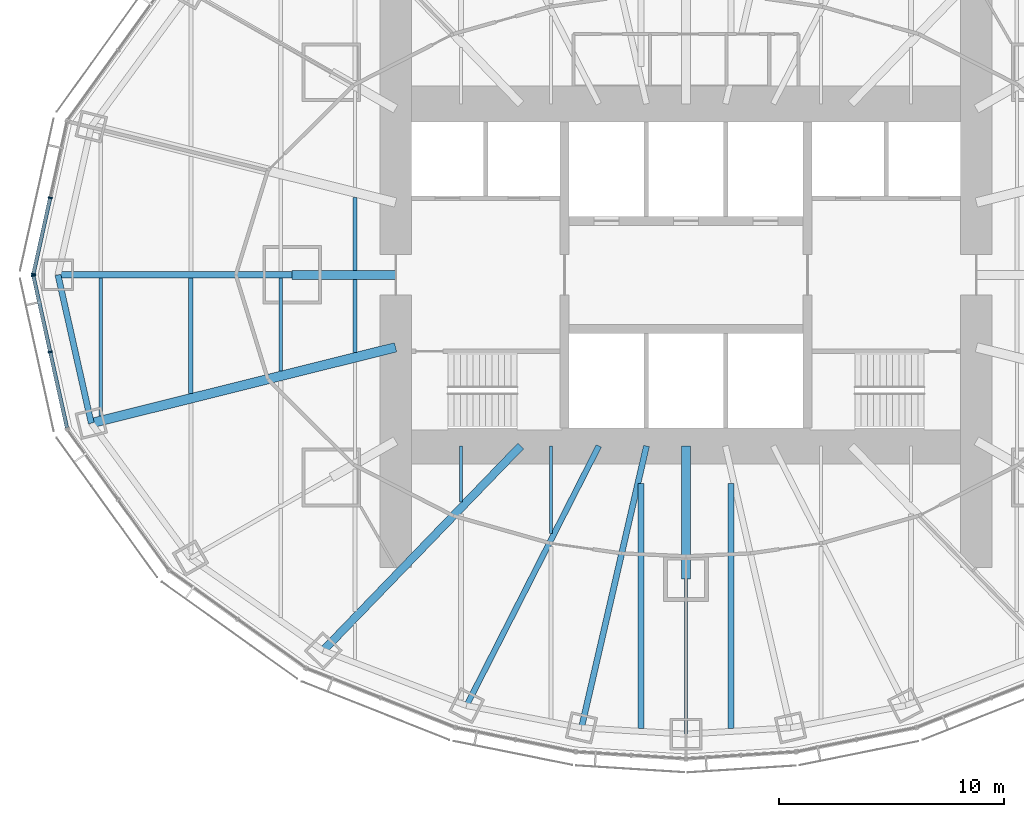
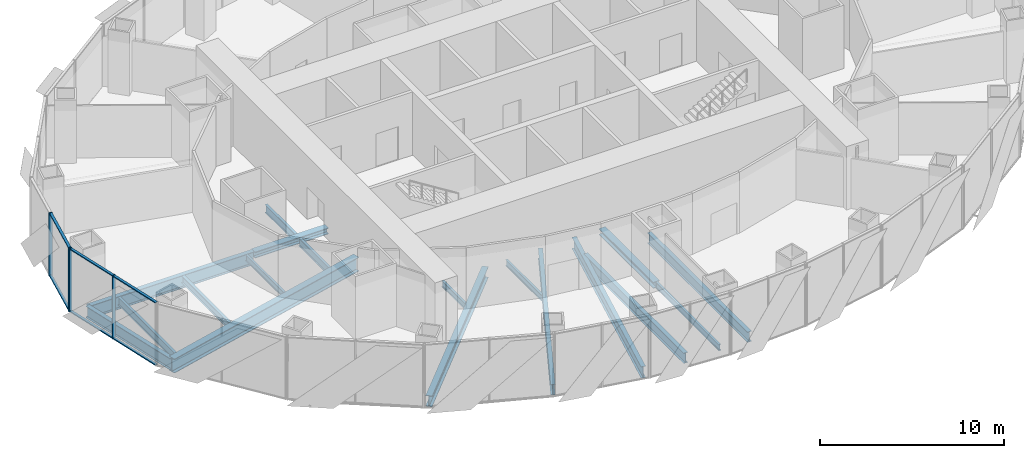
# One storey, part 3 of 18: 18 beams, 10 members, 2 elements without a shape of their own.
"""IFC4 building model written with IfcOpenShell, lengths in metres."""

import ifcopenshell
import ifcopenshell.guid

model = None  # the IFC model being written
_history = None  # IfcOwnerHistory: only IFC2X3 demands one
_inside = {}  # id of a spatial element -> (the spatial element, [elements in it])
_under = {}  # id of a project, library or spatial element -> (it, [spatial elements below it])
_declared = {}  # id of a project -> (the project, [libraries it declares])
_typed = {}  # id of a type object -> (the type object, [elements of that type])
_made_of = {}  # id of a material, layer set ... -> (it, [elements and type objects made of it])


def new_model(schema):
    """Start an empty IFC model of exactly this schema.

    Asked for "IFC4X3", IfcOpenShell would pick the latest addendum, in which some entities
    have other attributes; the version numbers below select the first issue.
    IFC2X3 requires an IfcOwnerHistory on every rooted entity: one is made here for all.
    """
    global model, _history
    if schema == "IFC4X3":
        model = ifcopenshell.file(schema_version=(4, 3, 0, 0))
    else:
        model = ifcopenshell.file(schema=schema)
    _inside.clear()
    _under.clear()
    _declared.clear()
    _typed.clear()
    _made_of.clear()
    _history = None
    if model.schema == "IFC2X3":
        org = make("IfcOrganization", Name="unknown")
        user = make(
            "IfcPersonAndOrganization",
            ThePerson=make("IfcPerson", FamilyName="unknown"),
            TheOrganization=org,
        )
        app = make(
            "IfcApplication",
            ApplicationDeveloper=org,
            Version="unknown",
            ApplicationFullName="unknown",
            ApplicationIdentifier="unknown",
        )
        _history = make(
            "IfcOwnerHistory",
            OwningUser=user,
            OwningApplication=app,
            ChangeAction="ADDED",
            CreationDate=0,
        )
    return model


def make(cls, **values):
    """One entity of the class cls with the attributes given. An attribute that is None is left unset."""
    return model.create_entity(
        cls, **{name: value for name, value in values.items() if value is not None}
    )


def rooted(cls, **values):
    """An entity with a GlobalId (a new one), such as an element, a storey or a relation."""
    return make(cls, GlobalId=ifcopenshell.guid.new(), OwnerHistory=_history, **values)


def si_unit(unit_type, name, prefix=None):
    """IfcSIUnit, for example si_unit("LENGTHUNIT", "METRE", prefix="MILLI")."""
    return make("IfcSIUnit", UnitType=unit_type, Prefix=prefix, Name=name)


def assignment(units):
    """IfcUnitAssignment: the units of a project."""
    return None if units is None else make("IfcUnitAssignment", Units=units)


def point(xyz):
    """IfcCartesianPoint."""
    return None if xyz is None else make("IfcCartesianPoint", Coordinates=xyz)


def direction(xyz):
    """IfcDirection."""
    return None if xyz is None else make("IfcDirection", DirectionRatios=xyz)


def frame(location, z_axis=None, x_axis=None):
    """IfcAxis2Placement3D, a coordinate frame: its origin and axes. An axis left out is left unset."""
    return make(
        "IfcAxis2Placement3D",
        Location=point(location),
        Axis=direction(z_axis),
        RefDirection=direction(x_axis),
    )


def frame_2d(location, x_axis=None):
    """IfcAxis2Placement2D, a coordinate frame in the plane: its origin and x axis."""
    return make(
        "IfcAxis2Placement2D", Location=point(location), RefDirection=direction(x_axis)
    )


def origin():
    """The frame at (0, 0, 0) with its axes left unset."""
    return frame((0.0, 0.0, 0.0))


def origin_2d():
    """The frame at (0, 0) in the plane with its x axis left unset."""
    return frame_2d((0.0, 0.0))


def place(relative_to, where):
    """IfcLocalPlacement: puts the frame where relative to a parent placement (None: the world)."""
    return make(
        "IfcLocalPlacement", PlacementRelTo=relative_to, RelativePlacement=where
    )


def context(
    kind, dimensions, precision=None, world=None, true_north=None, identifier=None
):
    """IfcGeometricRepresentationContext, for example the 3D "Model" context."""
    return make(
        "IfcGeometricRepresentationContext",
        ContextIdentifier=identifier,
        ContextType=kind,
        CoordinateSpaceDimension=dimensions,
        Precision=precision,
        WorldCoordinateSystem=world,
        TrueNorth=true_north,
    )


def subcontext(parent, identifier, kind, view, scale=None):
    """IfcGeometricRepresentationSubContext, for example "Body" below "Model"."""
    return make(
        "IfcGeometricRepresentationSubContext",
        ContextIdentifier=identifier,
        ContextType=kind,
        ParentContext=parent,
        TargetScale=scale,
        TargetView=view,
    )


def project(units=None, contexts=None):
    """IfcProject with its units and contexts."""
    return rooted(
        "IfcProject",
        Name="project",
        RepresentationContexts=contexts,
        UnitsInContext=assignment(units),
    )


def spatial(cls, under=None, at=None, **own):
    """A site, building, storey or space (cls), placed at a placement, below another one or the project."""
    s = rooted(cls, ObjectPlacement=at, **own)
    if under is not None:
        _under.setdefault(under.id(), (under, []))[1].append(s)
    return s


def profile(cls, at=None, kind="AREA", **sizes):
    """A parametric profile (cls). Its sizes go by their IFC names, for example OverallWidth=200.0."""
    return make(cls, ProfileType=kind, Position=at, **sizes)


def rectangle(**sizes):
    """IfcRectangleProfileDef."""
    return profile("IfcRectangleProfileDef", **sizes)


def i_section(**sizes):
    """IfcIShapeProfileDef."""
    return profile("IfcIShapeProfileDef", **sizes)


def extrude(swept, where, along, depth):
    """IfcExtrudedAreaSolid: the profile swept, set in the frame where, extruded along a direction by depth."""
    return make(
        "IfcExtrudedAreaSolid",
        SweptArea=swept,
        Position=where,
        ExtrudedDirection=direction(along),
        Depth=depth,
    )


def shape(context_of_items, identifier, shape_type, items):
    """IfcShapeRepresentation: the items that make up one representation, for example the "Body"."""
    return make(
        "IfcShapeRepresentation",
        ContextOfItems=context_of_items,
        RepresentationIdentifier=identifier,
        RepresentationType=shape_type,
        Items=items,
    )


def material(Name=None, Category=None):
    """IfcMaterial."""
    return make("IfcMaterial", Name=Name, Category=Category)


def material_profile(
    of_material, cross_section, Name=None, Category=None, Priority=None
):
    """IfcMaterialProfile: a cross section and its material."""
    return make(
        "IfcMaterialProfile",
        Name=Name,
        Material=of_material,
        Profile=cross_section,
        Priority=Priority,
        Category=Category,
    )


def profile_set(profiles, Name=None, composite=None):
    """IfcMaterialProfileSet."""
    return make(
        "IfcMaterialProfileSet",
        Name=Name,
        MaterialProfiles=profiles,
        CompositeProfile=composite,
    )


def made_of(thing, what):
    """Note that an element or type object is made of a material, layer set ...; save() writes the relation."""
    if what is not None:
        _made_of.setdefault(what.id(), (what, []))[1].append(thing)
    return thing


def type_object(cls, material=None, **own):
    """A type object (cls), such as IfcWallType, which elements share."""
    return made_of(rooted(cls, **own), material)


def element(
    cls,
    number,
    at=None,
    inside=None,
    cuts=None,
    type_object=None,
    material=None,
    context=None,
    identifier="Body",
    shape_type=None,
    held_by="IfcProductDefinitionShape",
    body=None,
    shapes=None,
    **own,
):
    """One element of the class cls, such as IfcWall. Its Tag is "e" and its number.

    at: its placement. inside: the storey or other place that contains it. cuts: it is an
    opening in that element (IfcRelVoidsElement). A single representation is given by context,
    identifier, shape_type and body (its items); several are given by shapes. held_by: the class
    of the entity that holds the representations. save() writes the other relations.
    """
    e = rooted(cls, Tag="e%d" % number, ObjectPlacement=at, **own)
    if body is not None:
        shapes = [shape(context, identifier, shape_type, body)]
    if shapes is not None:
        e.Representation = make(held_by, Representations=shapes)
    if inside is not None:
        _inside.setdefault(inside.id(), (inside, []))[1].append(e)
    if cuts is not None:
        rooted(
            "IfcRelVoidsElement", RelatingBuildingElement=cuts, RelatedOpeningElement=e
        )
    if type_object is not None:
        _typed.setdefault(type_object.id(), (type_object, []))[1].append(e)
    return made_of(e, material)


def aggregate(whole, parts):
    """IfcRelAggregates: a whole, such as a stair, and the parts it consists of."""
    return rooted("IfcRelAggregates", RelatingObject=whole, RelatedObjects=parts)


def save(model, path):
    """Write the relations noted so far, then the file.

    IfcRelAggregates (storeys below a building ...), IfcRelContainedInSpatialStructure (elements
    in a storey), IfcRelDefinesByType, IfcRelAssociatesMaterial and IfcRelDeclares: one each for
    every whole, place, type object, material and project.
    """
    for whole, parts in _under.values():
        aggregate(whole, parts)
    for where, things in _inside.values():
        rooted(
            "IfcRelContainedInSpatialStructure",
            RelatedElements=things,
            RelatingStructure=where,
        )
    for kind, things in _typed.values():
        rooted("IfcRelDefinesByType", RelatedObjects=things, RelatingType=kind)
    for what, things in _made_of.values():
        rooted("IfcRelAssociatesMaterial", RelatedObjects=things, RelatingMaterial=what)
    for by, libraries in _declared.values():
        rooted("IfcRelDeclares", RelatingContext=by, RelatedDefinitions=libraries)
    model.write(path)


model = new_model("IFC4")

# Units and contexts
model_context = context("Model", 3, precision=1e-05, world=origin(), true_north=direction((0.0, 1.0)))
body_context = subcontext(model_context, "Body", "Model", "MODEL_VIEW")
ifc_project = project(units=[si_unit("LENGTHUNIT", "METRE"), si_unit("AREAUNIT", "SQUARE_METRE"), si_unit("VOLUMEUNIT", "CUBIC_METRE"), si_unit("PLANEANGLEUNIT", "RADIAN"), si_unit("MASSUNIT", "GRAM", prefix="KILO")], contexts=[model_context])

# Site, building, storey
site_placement = place(None, origin())
site = spatial("IfcSite", under=ifc_project, at=site_placement, CompositionType="ELEMENT")
building_placement = place(site_placement, origin())
building = spatial("IfcBuilding", under=site, at=building_placement, Name="Lantaw Convention Tower", CompositionType="ELEMENT")
storey_placement = place(building_placement, frame((0.0, 0.0, 130.0)))
storey = spatial("IfcBuildingStorey", under=building, at=storey_placement, Name="L30", CompositionType="ELEMENT", Elevation=130.0)

# Beams
ifc_material_1 = material(Name="Steel ASTM A992", Category="steel")
ifc_material_profile_1 = material_profile(ifc_material_1, i_section(OverallWidth=0.2666015625, OverallDepth=0.76953125, WebThickness=0.015625, FlangeThickness=0.025390625, FilletRadius=0.0126953125, at=origin_2d()), Name="W30X132")
ifc_profile_set_1 = profile_set([ifc_material_profile_1], Name="Steel ASTM A992")
beam_type_1 = type_object("IfcBeamType", Name="Beam E W30X132", PredefinedType="SPANDREL", material=ifc_profile_set_1)
beam_1_placement = place(storey_placement, frame((-27.89990234375, 0.0, -0.534912109375), z_axis=(0.219211877447, -0.975677279015, 0.0), x_axis=(0.975677279015, 0.219211877447, 0.0)))
element("IfcBeam", 1, at=beam_1_placement, inside=storey, type_object=beam_type_1, Name="Edge beam 13", PredefinedType="SPANDREL", context=body_context, shape_type="SweptSolid", body=[
    extrude(i_section(OverallWidth=0.2666015625, OverallDepth=0.76953125, WebThickness=0.015625, FlangeThickness=0.025390625, FilletRadius=0.0126953125, at=origin_2d()), origin(), (0.0, 0.0, 1.0), 6.75146484375),
])
ifc_material_profile_2 = material_profile(ifc_material_1, i_section(OverallWidth=0.140380859375, OverallDepth=0.40380859375, WebThickness=0.007080078125, FlangeThickness=0.01123046875, FilletRadius=0.01025390625, at=origin_2d()), Name="W16X31")
ifc_profile_set_2 = profile_set([ifc_material_profile_2], Name="Steel ASTM A992")
beam_type_2 = type_object("IfcBeamType", Name="Beam G W16X31", PredefinedType="BEAM", material=ifc_profile_set_2)
beam_2_placement = place(storey_placement, frame((0.0, -13.5, -0.35205078125), z_axis=(0.0, -1.0, 0.0), x_axis=(1.0, 0.0, 0.0)))
element("IfcBeam", 2, at=beam_2_placement, inside=storey, type_object=beam_type_2, Name="Floor girder on ray 19", PredefinedType="BEAM", context=body_context, shape_type="SweptSolid", body=[
    extrude(i_section(OverallWidth=0.140380859375, OverallDepth=0.40380859375, WebThickness=0.007080078125, FlangeThickness=0.01123046875, FilletRadius=0.01025390625, at=origin_2d()), origin(), (0.0, 0.0, 1.0), 6.89990234375),
])
ifc_material_profile_3 = material_profile(ifc_material_1, i_section(OverallWidth=0.25390625, OverallDepth=0.700927734375, WebThickness=0.015380859375, FlangeThickness=0.02783203125, FilletRadius=0.01513671875, at=origin_2d()), Name="W27X129")
ifc_profile_set_3 = profile_set([ifc_material_profile_3], Name="Steel ASTM A992")
beam_type_3 = type_object("IfcBeamType", Name="Beam G W27X129", PredefinedType="BEAM", material=ifc_profile_set_3)
beam_3_placement = place(storey_placement, frame((-3.872314453125, -7.60009765625, -0.50048828125), z_axis=(-0.453991051051, -0.891006243281, 0.0), x_axis=(0.891006243281, -0.453991051051, 0.0)))
element("IfcBeam", 3, at=beam_3_placement, inside=storey, type_object=beam_type_3, Name="Floor girder on ray 17", PredefinedType="BEAM", context=body_context, shape_type="SweptSolid", body=[
    extrude(i_section(OverallWidth=0.25390625, OverallDepth=0.700927734375, WebThickness=0.015380859375, FlangeThickness=0.02783203125, FilletRadius=0.01513671875, at=origin_2d()), origin(), (0.0, 0.0, 1.0), 12.943359375),
])
ifc_material_profile_4 = material_profile(ifc_material_1, i_section(OverallWidth=0.360595703125, OverallDepth=0.72900390625, WebThickness=0.023193359375, FlangeThickness=0.041015625, FilletRadius=0.0126953125, at=origin_2d()), Name="W27X235")
ifc_profile_set_4 = profile_set([ifc_material_profile_4], Name="Steel ASTM A992")
beam_type_4 = type_object("IfcBeamType", Name="Beam G W27X235", PredefinedType="BEAM", material=ifc_profile_set_4)
beam_4_placement = place(storey_placement, frame((-7.33935546875, -7.60009765625, -0.514404296875), z_axis=(-0.694663467407, -0.719334878239, 0.0), x_axis=(0.719334878239, -0.694663467407, 0.0)))
element("IfcBeam", 4, at=beam_4_placement, inside=storey, type_object=beam_type_4, Name="Floor girder on ray 16", PredefinedType="BEAM", context=body_context, shape_type="SweptSolid", body=[
    extrude(i_section(OverallWidth=0.360595703125, OverallDepth=0.72900390625, WebThickness=0.023193359375, FlangeThickness=0.041015625, FilletRadius=0.0126953125, at=origin_2d()), origin(), (0.0, 0.0, 1.0), 12.63671875),
])
ifc_material_profile_5 = material_profile(ifc_material_1, i_section(OverallWidth=0.2666015625, OverallDepth=0.7568359375, WebThickness=0.013916015625, FlangeThickness=0.019287109375, FilletRadius=0.0126953125, at=origin_2d()), Name="W30X108")
ifc_profile_set_5 = profile_set([ifc_material_profile_5], Name="Steel ASTM A992")
beam_type_5 = type_object("IfcBeamType", Name="Beam G W30X108", PredefinedType="BEAM", material=ifc_profile_set_5)
beam_5_placement = place(storey_placement, frame((-1.754638671875, -7.60009765625, -0.528564453125), z_axis=(-0.224944153104, -0.974371658036, 0.0), x_axis=(0.974371658036, -0.224944153104, 0.0)))
element("IfcBeam", 5, at=beam_5_placement, inside=storey, type_object=beam_type_5, Name="Floor girder on ray 18", PredefinedType="BEAM", context=body_context, shape_type="SweptSolid", body=[
    extrude(i_section(OverallWidth=0.2666015625, OverallDepth=0.7568359375, WebThickness=0.013916015625, FlangeThickness=0.019287109375, FilletRadius=0.0126953125, at=origin_2d()), origin(), (0.0, 0.0, 1.0), 12.849365234375),
])
ifc_material_profile_6 = material_profile(ifc_material_1, i_section(OverallWidth=0.2919921875, OverallDepth=0.845703125, WebThickness=0.015380859375, FlangeThickness=0.0244140625, FilletRadius=0.01513671875, at=origin_2d()), Name="W33X141")
ifc_profile_set_6 = profile_set([ifc_material_profile_6], Name="Steel ASTM A992")
beam_type_6 = type_object("IfcBeamType", Name="Beam G W33X141", PredefinedType="BEAM", material=ifc_profile_set_6)
beam_6_placement = place(storey_placement, frame((-17.5, 0.0, -0.572998046875), z_axis=(-1.0, 0.0, 0.0), x_axis=(0.0, -1.0, 0.0)))
element("IfcBeam", 6, at=beam_6_placement, inside=storey, type_object=beam_type_6, Name="Floor girder on ray 13", PredefinedType="BEAM", context=body_context, shape_type="SweptSolid", body=[
    extrude(i_section(OverallWidth=0.2919921875, OverallDepth=0.845703125, WebThickness=0.015380859375, FlangeThickness=0.0244140625, FilletRadius=0.01513671875, at=origin_2d()), origin(), (0.0, 0.0, 1.0), 10.39990234375),
])
ifc_material_profile_7 = material_profile(ifc_material_1, i_section(OverallWidth=0.421630859375, OverallDepth=0.937255859375, WebThickness=0.0224609375, FlangeThickness=0.039794921875, FilletRadius=0.02001953125, at=origin_2d()), Name="W36X282")
ifc_profile_set_7 = profile_set([ifc_material_profile_7], Name="Steel ASTM A992")
beam_type_7 = type_object("IfcBeamType", Name="Beam G W36X282", PredefinedType="BEAM", material=ifc_profile_set_7)
beam_7_placement = place(storey_placement, frame((-12.89990234375, -3.21630859375, -0.61865234375), z_axis=(-0.970296903132, -0.24191717544, 0.0), x_axis=(0.24191717544, -0.970296903132, 0.0)))
element("IfcBeam", 7, at=beam_7_placement, inside=storey, type_object=beam_type_7, Name="Floor girder on ray 14", PredefinedType="BEAM", context=body_context, shape_type="SweptSolid", body=[
    extrude(i_section(OverallWidth=0.421630859375, OverallDepth=0.937255859375, WebThickness=0.0224609375, FlangeThickness=0.039794921875, FilletRadius=0.02001953125, at=origin_2d()), origin(), (0.0, 0.0, 1.0), 13.933837890625),
])
ifc_material_profile_8 = material_profile(ifc_material_1, i_section(OverallWidth=0.40380859375, OverallDepth=0.406494140625, WebThickness=0.027099609375, FlangeThickness=0.043701171875, FilletRadius=0.01513671875, at=origin_2d()), Name="W14X233")
ifc_profile_set_8 = profile_set([ifc_material_profile_8], Name="Steel ASTM A992")
beam_type_8 = type_object("IfcBeamType", Name="Beam GM W14X233", PredefinedType="BEAM", material=ifc_profile_set_8)
beam_8_placement = place(storey_placement, frame((-12.89990234375, 0.0, -0.353271484375), z_axis=(-1.0, 0.0, 0.0), x_axis=(0.0, -1.0, 0.0)))
element("IfcBeam", 8, at=beam_8_placement, inside=storey, type_object=beam_type_8, Name="Core link beam on ray 13", PredefinedType="BEAM", context=body_context, shape_type="SweptSolid", body=[
    extrude(i_section(OverallWidth=0.40380859375, OverallDepth=0.406494140625, WebThickness=0.027099609375, FlangeThickness=0.043701171875, FilletRadius=0.01513671875, at=origin_2d()), origin(), (0.0, 0.0, 1.0), 4.60009765625),
])
beam_9_placement = place(storey_placement, frame((0.0, -7.60009765625, -0.353271484375), z_axis=(0.0, -1.0, 0.0), x_axis=(1.0, 0.0, 0.0)))
element("IfcBeam", 9, at=beam_9_placement, inside=storey, type_object=beam_type_8, Name="Core link beam on ray 19", PredefinedType="BEAM", context=body_context, shape_type="SweptSolid", body=[
    extrude(i_section(OverallWidth=0.40380859375, OverallDepth=0.406494140625, WebThickness=0.027099609375, FlangeThickness=0.043701171875, FilletRadius=0.01513671875, at=origin_2d()), origin(), (0.0, 0.0, 1.0), 5.89990234375),
])
ifc_material_profile_9 = material_profile(ifc_material_1, i_section(OverallWidth=0.140380859375, OverallDepth=0.40380859375, WebThickness=0.007080078125, FlangeThickness=0.01123046875, FilletRadius=0.01025390625, at=origin_2d()), Name="W16X31")
ifc_profile_set_9 = profile_set([ifc_material_profile_9], Name="Steel ASTM A992")
beam_type_9 = type_object("IfcBeamType", Name="Beam J W16X31", PredefinedType="JOIST", material=ifc_profile_set_9)
beam_10_placement = place(storey_placement, frame((-18.0, -4.270751953125, -0.35205078125), z_axis=(0.0, 1.0, 0.0), x_axis=(-1.0, 0.0, 0.0)))
element("IfcBeam", 10, at=beam_10_placement, inside=storey, type_object=beam_type_9, Name="Floor joist", PredefinedType="JOIST", context=body_context, shape_type="SweptSolid", body=[
    extrude(i_section(OverallWidth=0.140380859375, OverallDepth=0.40380859375, WebThickness=0.007080078125, FlangeThickness=0.01123046875, FilletRadius=0.01025390625, at=origin_2d()), origin(), (0.0, 0.0, 1.0), 4.124755859375),
])
beam_11_placement = place(storey_placement, frame((-10.0, -10.095703125, -0.35205078125), z_axis=(0.0, 1.0, 0.0), x_axis=(-1.0, 0.0, 0.0)))
element("IfcBeam", 11, at=beam_11_placement, inside=storey, type_object=beam_type_9, Name="Floor joist", PredefinedType="JOIST", context=body_context, shape_type="SweptSolid", body=[
    extrude(i_section(OverallWidth=0.140380859375, OverallDepth=0.40380859375, WebThickness=0.007080078125, FlangeThickness=0.01123046875, FilletRadius=0.01025390625, at=origin_2d()), origin(), (0.0, 0.0, 1.0), 2.49560546875),
])
beam_12_placement = place(storey_placement, frame((-6.0, -11.495849609375, -0.35205078125), z_axis=(0.0, 1.0, 0.0), x_axis=(-1.0, 0.0, 0.0)))
element("IfcBeam", 12, at=beam_12_placement, inside=storey, type_object=beam_type_9, Name="Floor joist", PredefinedType="JOIST", context=body_context, shape_type="SweptSolid", body=[
    extrude(i_section(OverallWidth=0.140380859375, OverallDepth=0.40380859375, WebThickness=0.007080078125, FlangeThickness=0.01123046875, FilletRadius=0.01025390625, at=origin_2d()), origin(), (0.0, 0.0, 1.0), 3.895751953125),
])
ifc_material_profile_10 = material_profile(ifc_material_1, i_section(OverallWidth=0.1904296875, OverallDepth=0.457275390625, WebThickness=0.009033203125, FlangeThickness=0.014404296875, FilletRadius=0.01025390625, at=origin_2d()), Name="W18X50")
ifc_profile_set_10 = profile_set([ifc_material_profile_10], Name="Steel ASTM A992")
beam_type_10 = type_object("IfcBeamType", Name="Beam J W18X50", PredefinedType="JOIST", material=ifc_profile_set_10)
beam_13_placement = place(storey_placement, frame((-22.0, -5.267822265625, -0.378662109375), z_axis=(0.0, 1.0, 0.0), x_axis=(-1.0, 0.0, 0.0)))
element("IfcBeam", 13, at=beam_13_placement, inside=storey, type_object=beam_type_10, Name="Floor joist", PredefinedType="JOIST", context=body_context, shape_type="SweptSolid", body=[
    extrude(i_section(OverallWidth=0.1904296875, OverallDepth=0.457275390625, WebThickness=0.009033203125, FlangeThickness=0.014404296875, FilletRadius=0.01025390625, at=origin_2d()), origin(), (0.0, 0.0, 1.0), 5.121826171875),
])
ifc_material_profile_11 = material_profile(ifc_material_1, i_section(OverallWidth=0.1650390625, OverallDepth=0.52587890625, WebThickness=0.0087890625, FlangeThickness=0.011474609375, FilletRadius=0.0126953125, at=origin_2d()), Name="W21X44")
ifc_profile_set_11 = profile_set([ifc_material_profile_11], Name="Steel ASTM A992")
beam_type_11 = type_object("IfcBeamType", Name="Beam J W21X44", PredefinedType="JOIST", material=ifc_profile_set_11)
beam_14_placement = place(storey_placement, frame((-26.0, -6.26513671875, -0.412841796875), z_axis=(0.0, 1.0, 0.0), x_axis=(-1.0, 0.0, 0.0)))
element("IfcBeam", 14, at=beam_14_placement, inside=storey, type_object=beam_type_11, Name="Floor joist", PredefinedType="JOIST", context=body_context, shape_type="SweptSolid", body=[
    extrude(i_section(OverallWidth=0.1650390625, OverallDepth=0.52587890625, WebThickness=0.0087890625, FlangeThickness=0.011474609375, FilletRadius=0.0126953125, at=origin_2d()), origin(), (0.0, 0.0, 1.0), 6.119140625),
])
ifc_material_profile_12 = material_profile(ifc_material_1, i_section(OverallWidth=0.165771484375, OverallDepth=0.5283203125, WebThickness=0.009765625, FlangeThickness=0.013671875, FilletRadius=0.012939453125, at=origin_2d()), Name="W21X50")
ifc_profile_set_12 = profile_set([ifc_material_profile_12], Name="Steel ASTM A992")
beam_type_12 = type_object("IfcBeamType", Name="Beam J W21X50", PredefinedType="JOIST", material=ifc_profile_set_12)
for number, where, z_axis, x_axis, name in (
    (15, (-14.699951171875, -3.44775390625, -0.4140625), (0.0, 1.0, 0.0), (-1.0, 0.0, 0.0), "Floor joist"),
    (16, (-14.699951171875, 0.201904296875, -0.4140625), (0.0, 1.0, 0.0), (-1.0, 0.0, 0.0), "Floor joist"),
):
    element("IfcBeam", number, at=place(storey_placement, frame(where, z_axis=z_axis, x_axis=x_axis)), inside=storey, type_object=beam_type_12, Name=name, PredefinedType="JOIST", context=body_context, shape_type="SweptSolid", body=[
        extrude(i_section(OverallWidth=0.165771484375, OverallDepth=0.5283203125, WebThickness=0.009765625, FlangeThickness=0.013671875, FilletRadius=0.012939453125, at=origin_2d()), origin(), (0.0, 0.0, 1.0), 3.245849609375),
    ])
ifc_material_profile_13 = material_profile(ifc_material_1, i_section(OverallWidth=0.25390625, OverallDepth=0.683349609375, WebThickness=0.012451171875, FlangeThickness=0.01904296875, FilletRadius=0.01513671875, at=origin_2d()), Name="W27X94")
ifc_profile_set_13 = profile_set([ifc_material_profile_13], Name="Steel ASTM A992")
beam_type_13 = type_object("IfcBeamType", Name="Beam J W27X94", PredefinedType="JOIST", material=ifc_profile_set_13)
for number, where, z_axis, x_axis, name in (
    (17, (-2.0, -20.145751953125, -0.49169921875), (0.0, 1.0, 0.0), (-1.0, 0.0, 0.0), "Floor joist"),
    (18, (2.0, -20.145751953125, -0.49169921875), (0.0, 1.0, 0.0), (-1.0, 0.0, 0.0), "Floor joist"),
):
    element("IfcBeam", number, at=place(storey_placement, frame(where, z_axis=z_axis, x_axis=x_axis)), inside=storey, type_object=beam_type_13, Name=name, PredefinedType="JOIST", context=body_context, shape_type="SweptSolid", body=[
        extrude(i_section(OverallWidth=0.25390625, OverallDepth=0.683349609375, WebThickness=0.012451171875, FlangeThickness=0.01904296875, FilletRadius=0.01513671875, at=origin_2d()), origin(), (0.0, 0.0, 1.0), 10.889892578125),
    ])

# Curtain wall, members
ifc_material_2 = material(Name="Aluminium framed curtain wall", Category="aluminium")
curtain_wall_type = type_object("IfcCurtainWallType", Name="Office curtain wall low rise, pale aluminium", PredefinedType="USERDEFINED", material=ifc_material_2)
curtain_wall_1_placement = place(storey_placement, origin())
curtain_wall_1 = element("IfcCurtainWall", 19, at=curtain_wall_1_placement, inside=storey, type_object=curtain_wall_type, Name="Office curtain wall low rise, pale aluminium L30", ObjectType="UNITISED CURTAIN WALL", PredefinedType="USERDEFINED")
ifc_material_3 = material(Name="Aluminium 6063-T6", Category="aluminium")
ifc_material_profile_14 = material_profile(ifc_material_3, rectangle(XDim=0.199951171875, YDim=0.06494140625, at=origin_2d()), Name="CW-O1 mullion 65x200")
ifc_profile_set_14 = profile_set([ifc_material_profile_14], Name="Aluminium 6063-T6")
member_type_1 = type_object("IfcMemberType", Name="CW-O1 mullion 65x200", PredefinedType="MULLION", material=ifc_profile_set_14)
member_1_placement = place(storey_placement, frame((-28.24365234375, 3.4267578125, -0.14990234375), z_axis=(0.0, 0.0, 1.0), x_axis=(0.9764936509, -0.215546166174, 0.0)))
member_1 = element("IfcMember", 20, at=member_1_placement, type_object=member_type_1, Name="CW-O1 mullion 2", PredefinedType="MULLION", context=body_context, shape_type="SweptSolid", body=[
    extrude(rectangle(XDim=0.199951171875, YDim=0.06494140625, at=origin_2d()), origin(), (0.0, 0.0, 1.0), 4.199951171875),
])
member_2_placement = place(storey_placement, frame((-28.992919921875, 0.03173828125, -0.14990234375), z_axis=(0.0, 0.0, 1.0), x_axis=(0.9764936509, -0.215546166174, 0.0)))
member_2 = element("IfcMember", 21, at=member_2_placement, type_object=member_type_1, Name="CW-O1 mullion 3", PredefinedType="MULLION", context=body_context, shape_type="SweptSolid", body=[
    extrude(rectangle(XDim=0.199951171875, YDim=0.06494140625, at=origin_2d()), origin(), (0.0, 0.0, 1.0), 4.199951171875),
])

curtain_wall_2_placement = place(storey_placement, origin())
curtain_wall_2 = element("IfcCurtainWall", 22, at=curtain_wall_2_placement, inside=storey, type_object=curtain_wall_type, Name="Office curtain wall low rise, pale aluminium L30", ObjectType="UNITISED CURTAIN WALL", PredefinedType="USERDEFINED")
member_3_placement = place(storey_placement, frame((-28.992919921875, -0.03173828125, -0.14990234375), z_axis=(0.0, 0.0, 1.0), x_axis=(0.9764936509, 0.215546166174, 0.0)))
member_3 = element("IfcMember", 23, at=member_3_placement, type_object=member_type_1, Name="CW-O1 mullion 1", PredefinedType="MULLION", context=body_context, shape_type="SweptSolid", body=[
    extrude(rectangle(XDim=0.199951171875, YDim=0.06494140625, at=origin_2d()), origin(), (0.0, 0.0, 1.0), 4.199951171875),
])
member_4_placement = place(storey_placement, frame((-28.24365234375, -3.4267578125, -0.14990234375), z_axis=(0.0, 0.0, 1.0), x_axis=(0.9764936509, 0.215546166174, 0.0)))
member_4 = element("IfcMember", 24, at=member_4_placement, type_object=member_type_1, Name="CW-O1 mullion 2", PredefinedType="MULLION", context=body_context, shape_type="SweptSolid", body=[
    extrude(rectangle(XDim=0.199951171875, YDim=0.06494140625, at=origin_2d()), origin(), (0.0, 0.0, 1.0), 4.199951171875),
])

# Member
ifc_material_profile_15 = material_profile(ifc_material_3, rectangle(XDim=0.159912109375, YDim=0.06494140625, at=origin_2d()), Name="CW-O1 transom 65x160")
ifc_profile_set_15 = profile_set([ifc_material_profile_15], Name="Aluminium 6063-T6")
member_type_2 = type_object("IfcMemberType", Name="CW-O1 transom 65x160", PredefinedType="USERDEFINED", material=ifc_profile_set_15)
member_5_placement = place(storey_placement, frame((-28.250732421875, 3.39501953125, -0.117431640625), z_axis=(-0.215536096386, -0.976495873598, 0.0), x_axis=(0.976495873598, -0.215536096386, 0.0)))
member_5 = element("IfcMember", 25, at=member_5_placement, type_object=member_type_2, Name="CW-O1 transom 2.1", ObjectType="TRANSOM", PredefinedType="USERDEFINED", context=body_context, shape_type="SweptSolid", body=[
    extrude(rectangle(XDim=0.159912109375, YDim=0.06494140625, at=origin_2d()), origin(), (0.0, 0.0, 1.0), 3.41162109375),
])

member_6_placement = place(storey_placement, frame((-28.250732421875, 3.39501953125, 4.017578125), z_axis=(-0.215536096386, -0.976495873598, 0.0), x_axis=(0.976495873598, -0.215536096386, 0.0)))
member_6 = element("IfcMember", 26, at=member_6_placement, type_object=member_type_2, Name="CW-O1 transom 2.2", ObjectType="TRANSOM", PredefinedType="USERDEFINED", context=body_context, shape_type="SweptSolid", body=[
    extrude(rectangle(XDim=0.159912109375, YDim=0.06494140625, at=origin_2d()), origin(), (0.0, 0.0, 1.0), 3.41162109375),
])

aggregate(curtain_wall_1, [member_1, member_2, member_5, member_6])

member_7_placement = place(storey_placement, frame((-28.986083984375, -0.0634765625, -0.117431640625), z_axis=(0.215536096386, -0.976495873598, 0.0), x_axis=(0.976495873598, 0.215536096386, 0.0)))
member_7 = element("IfcMember", 27, at=member_7_placement, type_object=member_type_2, Name="CW-O1 transom 1.1", ObjectType="TRANSOM", PredefinedType="USERDEFINED", context=body_context, shape_type="SweptSolid", body=[
    extrude(rectangle(XDim=0.159912109375, YDim=0.06494140625, at=origin_2d()), origin(), (0.0, 0.0, 1.0), 3.41162109375),
])

member_8_placement = place(storey_placement, frame((-28.986083984375, -0.0634765625, 4.017578125), z_axis=(0.215536096386, -0.976495873598, 0.0), x_axis=(0.976495873598, 0.215536096386, 0.0)))
member_8 = element("IfcMember", 28, at=member_8_placement, type_object=member_type_2, Name="CW-O1 transom 1.2", ObjectType="TRANSOM", PredefinedType="USERDEFINED", context=body_context, shape_type="SweptSolid", body=[
    extrude(rectangle(XDim=0.159912109375, YDim=0.06494140625, at=origin_2d()), origin(), (0.0, 0.0, 1.0), 3.41162109375),
])

member_9_placement = place(storey_placement, frame((-28.236572265625, -3.45849609375, -0.117431640625), z_axis=(0.21555115847, -0.976492548913, 0.0), x_axis=(0.976492548913, 0.21555115847, 0.0)))
member_9 = element("IfcMember", 29, at=member_9_placement, type_object=member_type_2, Name="CW-O1 transom 2.1", ObjectType="TRANSOM", PredefinedType="USERDEFINED", context=body_context, shape_type="SweptSolid", body=[
    extrude(rectangle(XDim=0.159912109375, YDim=0.06494140625, at=origin_2d()), origin(), (0.0, 0.0, 1.0), 3.411376953125),
])

member_10_placement = place(storey_placement, frame((-28.236572265625, -3.45849609375, 4.017578125), z_axis=(0.21555115847, -0.976492548913, 0.0), x_axis=(0.976492548913, 0.21555115847, 0.0)))
member_10 = element("IfcMember", 30, at=member_10_placement, type_object=member_type_2, Name="CW-O1 transom 2.2", ObjectType="TRANSOM", PredefinedType="USERDEFINED", context=body_context, shape_type="SweptSolid", body=[
    extrude(rectangle(XDim=0.159912109375, YDim=0.06494140625, at=origin_2d()), origin(), (0.0, 0.0, 1.0), 3.411376953125),
])

aggregate(curtain_wall_2, [member_3, member_4, member_7, member_8, member_9, member_10])

save(model, "model.ifc")
